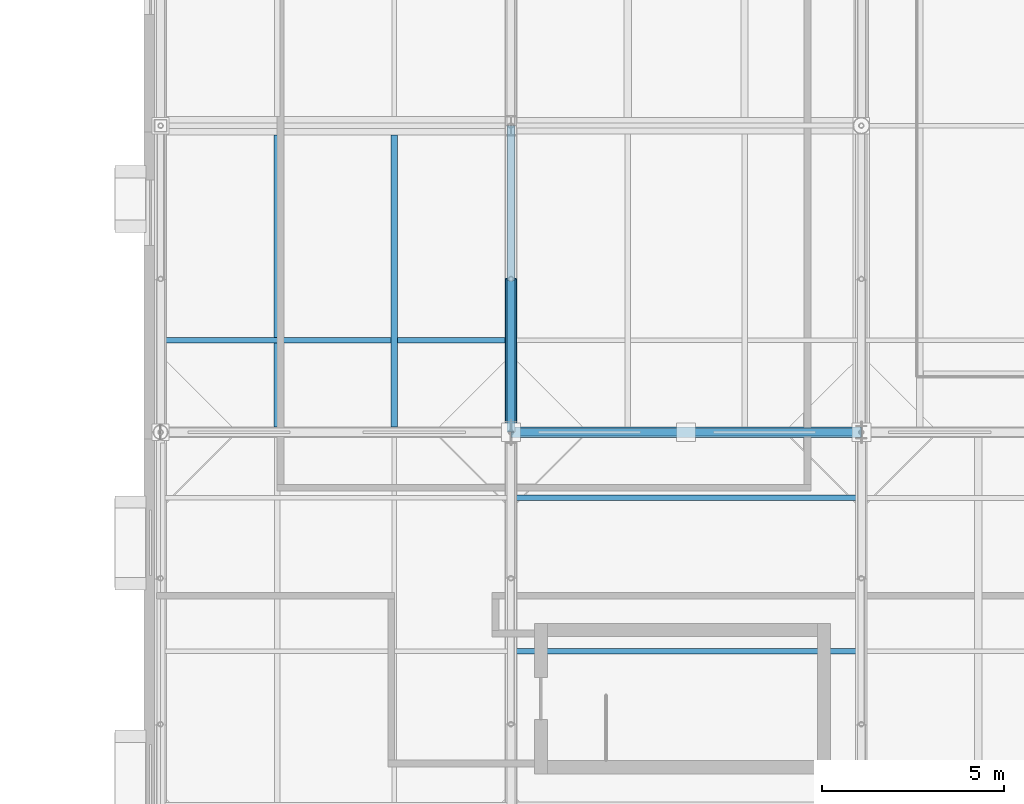
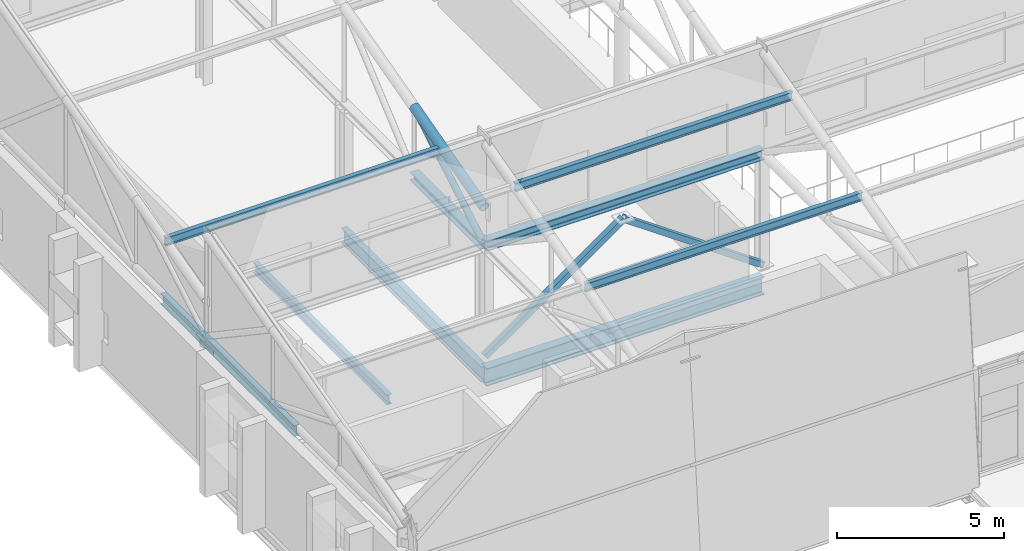
# One storey, part 18 of 89: 8 members, 5 beams.
"""IFC4 building model written with IfcOpenShell, lengths in metres."""

from ifc_helpers import new_model, si_unit, direction, frame, origin, origin_2d, place, context, subcontext, project, spatial, hollow_rectangle, hollow_circle, i_section, extrude, material, material_profile, profile_set, type_object, element, save


model = new_model("IFC4")

# Units and contexts
model_context = context("Model", 3, precision=1e-05, world=origin(), true_north=direction((0.0, 1.0)))
body_context = subcontext(model_context, "Body", "Model", "MODEL_VIEW")
ifc_project = project(units=[si_unit("LENGTHUNIT", "METRE"), si_unit("AREAUNIT", "SQUARE_METRE"), si_unit("VOLUMEUNIT", "CUBIC_METRE"), si_unit("PLANEANGLEUNIT", "RADIAN"), si_unit("MASSUNIT", "GRAM", prefix="KILO")], contexts=[model_context])

# Site, building, storey
site_placement = place(None, origin())
site = spatial("IfcSite", under=ifc_project, at=site_placement, CompositionType="ELEMENT")
building_placement = place(site_placement, origin())
building = spatial("IfcBuilding", under=site, at=building_placement, Name="Zereglee Splitstone Museum", CompositionType="ELEMENT")
storey_placement = place(building_placement, frame((0.0, 0.0, 21.300048828125)))
storey = spatial("IfcBuildingStorey", under=building, at=storey_placement, Name="L04", CompositionType="ELEMENT", Elevation=21.300048828125)

# Members
ifc_material_1 = material(Name="Steel S355J2H", Category="steel")
ifc_material_profile_1 = material_profile(ifc_material_1, hollow_circle(Radius=0.109619140625, WallThickness=0.010009765625, at=origin_2d()), Name="CHS 219.1x10")
ifc_profile_set_1 = profile_set([ifc_material_profile_1], Name="Steel S355J2H")
member_type_1 = type_object("IfcMemberType", Name="TB-03", PredefinedType="BRACE", material=ifc_profile_set_1)
member_1_placement = place(storey_placement, frame((87.60009765625, 21.60009765625, 4.199951171875), z_axis=(0.0, 0.861527117747, 0.50771155727), x_axis=(-1.0, 0.0, 0.0)))
element("IfcMember", 1, at=member_1_placement, inside=storey, type_object=member_type_1, Name="Roof Truss ST-02 Diagonal 2.1", PredefinedType="BRACE", context=body_context, shape_type="SweptSolid", body=[
    extrude(hollow_circle(Radius=0.109619140625, WallThickness=0.010009765625, at=origin_2d()), origin(), (0.0, 0.0, 1.0), 4.875),
])
ifc_material_profile_2 = material_profile(ifc_material_1, hollow_rectangle(XDim=0.199951171875, YDim=0.199951171875, WallThickness=0.010009765625, at=origin_2d()), Name="SHS 200x200x10")
ifc_profile_set_2 = profile_set([ifc_material_profile_2], Name="Steel S355J2H")
member_type_2 = type_object("IfcMemberType", Name="TB-07", PredefinedType="BRACE", material=ifc_profile_set_2)
for number, where, z_axis, x_axis, name in (
    (2, (87.60009765625, 21.60009765625, 0.119873046875), (0.819212344006, 0.0, 0.573490309794), (0.0, 1.0, 0.0), "Lateral Braced Frame Chevron L04-009A"),
    (3, (97.199951171875, 21.60009765625, 0.119873046875), (-0.819226047866, 0.0, 0.573470733776), (0.0, -1.0, 0.0), "Lateral Braced Frame Chevron L04-009B"),
):
    element("IfcMember", number, at=place(storey_placement, frame(where, z_axis=z_axis, x_axis=x_axis)), inside=storey, type_object=member_type_2, Name=name, PredefinedType="BRACE", context=body_context, shape_type="SweptSolid", body=[
        extrude(hollow_rectangle(XDim=0.199951171875, YDim=0.199951171875, WallThickness=0.010009765625, at=origin_2d()), origin(), (0.0, 0.0, 1.0), 5.859130859375),
    ])
ifc_material_profile_3 = material_profile(ifc_material_1, hollow_circle(Radius=0.161865234375, WallThickness=0.01611328125, at=origin_2d()), Name="CHS 323.9x16")
ifc_profile_set_3 = profile_set([ifc_material_profile_3], Name="Steel S355J2H")
member_type_3 = type_object("IfcMemberType", Name="TC-05", PredefinedType="CHORD", material=ifc_profile_set_3)
member_2_placement = place(storey_placement, frame((87.60009765625, 21.60009765625, 5.550048828125), z_axis=(0.0, 0.965947299715, 0.258738891884), x_axis=(-1.0, 0.0, 0.0)))
element("IfcMember", 4, at=member_2_placement, inside=storey, type_object=member_type_3, Name="Roof Truss ST-02 Top Chord 2.1", PredefinedType="CHORD", context=body_context, shape_type="SweptSolid", body=[
    extrude(hollow_circle(Radius=0.161865234375, WallThickness=0.01611328125, at=origin_2d()), origin(), (0.0, 0.0, 1.0), 4.347900390625),
])
ifc_material_2 = material(Name="Steel S355J2", Category="steel")
ifc_material_profile_4 = material_profile(ifc_material_2, i_section(OverallWidth=0.300048828125, OverallDepth=0.300048828125, WebThickness=0.010986328125, FlangeThickness=0.01904296875, FilletRadius=0.027099609375, at=origin_2d()), Name="HE 300 B")
ifc_profile_set_4 = profile_set([ifc_material_profile_4], Name="Steel S355J2")
member_type_4 = type_object("IfcMemberType", Name="TC-07", PredefinedType="CHORD", material=ifc_profile_set_4)
member_3_placement = place(storey_placement, frame((87.60009765625, 21.60009765625, 4.199951171875), z_axis=(0.0, 1.0, 0.0), x_axis=(-1.0, 0.0, 0.0)))
element("IfcMember", 5, at=member_3_placement, inside=storey, type_object=member_type_4, Name="Roof Truss ST-02 Bottom Chord 2.1", PredefinedType="CHORD", context=body_context, shape_type="SweptSolid", body=[
    extrude(i_section(OverallWidth=0.300048828125, OverallDepth=0.300048828125, WebThickness=0.010986328125, FlangeThickness=0.01904296875, FilletRadius=0.027099609375, at=origin_2d()), origin(), (0.0, 0.0, 1.0), 4.199951171875),
])

# Beams
ifc_material_profile_5 = material_profile(ifc_material_2, i_section(OverallWidth=0.300048828125, OverallDepth=0.360107421875, WebThickness=0.012451171875, FlangeThickness=0.0224609375, FilletRadius=0.027099609375, at=origin_2d()), Name="HE 360 B")
ifc_profile_set_5 = profile_set([ifc_material_profile_5], Name="Steel S355J2")
beam_type_1 = type_object("IfcBeamType", Name="BG-14", PredefinedType="BEAM", material=ifc_profile_set_5)
beam_1_placement = place(storey_placement, frame((87.60009765625, 21.60009765625, 4.199951171875), z_axis=(1.0, 0.0, 0.0), x_axis=(0.0, 1.0, 0.0)))
element("IfcBeam", 6, at=beam_1_placement, inside=storey, type_object=beam_type_1, Name="Sawtooth Monitor Sill Beam B2-S1", PredefinedType="BEAM", context=body_context, shape_type="SweptSolid", body=[
    extrude(i_section(OverallWidth=0.300048828125, OverallDepth=0.360107421875, WebThickness=0.012451171875, FlangeThickness=0.0224609375, FilletRadius=0.027099609375, at=origin_2d()), origin(), (0.0, 0.0, 1.0), 9.599853515625),
])
ifc_material_profile_6 = material_profile(ifc_material_2, i_section(OverallWidth=0.300048828125, OverallDepth=0.64990234375, WebThickness=0.01611328125, FlangeThickness=0.031005859375, FilletRadius=0.027099609375, at=origin_2d()), Name="HE 650 B")
ifc_profile_set_6 = profile_set([ifc_material_profile_6], Name="Steel S355J2")
beam_type_2 = type_object("IfcBeamType", Name="BG-09", PredefinedType="BEAM", material=ifc_profile_set_6)
beam_2_placement = place(storey_placement, frame((87.60009765625, 21.60009765625, -0.5849609375), z_axis=(1.0, 0.0, 0.0), x_axis=(0.0, 1.0, 0.0)))
element("IfcBeam", 7, at=beam_2_placement, inside=storey, type_object=beam_type_2, Name="Primary Girder L04 C (87.6-97.2)", PredefinedType="BEAM", context=body_context, shape_type="SweptSolid", body=[
    extrude(i_section(OverallWidth=0.300048828125, OverallDepth=0.64990234375, WebThickness=0.01611328125, FlangeThickness=0.031005859375, FilletRadius=0.027099609375, at=origin_2d()), origin(), (0.0, 0.0, 1.0), 9.599853515625),
])
ifc_material_profile_7 = material_profile(ifc_material_2, i_section(OverallWidth=0.2099609375, OverallDepth=0.550048828125, WebThickness=0.010986328125, FlangeThickness=0.01708984375, FilletRadius=0.02392578125, at=origin_2d()), Name="IPE 550")
ifc_profile_set_7 = profile_set([ifc_material_profile_7], Name="Steel S355J2")
beam_type_3 = type_object("IfcBeamType", Name="BG-16", PredefinedType="BEAM", material=ifc_profile_set_7)
beam_3_placement = place(storey_placement, frame((87.60009765625, 21.60009765625, -0.53515625), z_axis=(0.0, 1.0, 0.0), x_axis=(-1.0, 0.0, 0.0)))
element("IfcBeam", 8, at=beam_3_placement, inside=storey, type_object=beam_type_3, Name="Primary Girder L04 11 (21.6-30.0)", PredefinedType="BEAM", context=body_context, shape_type="SweptSolid", body=[
    extrude(i_section(OverallWidth=0.2099609375, OverallDepth=0.550048828125, WebThickness=0.010986328125, FlangeThickness=0.01708984375, FilletRadius=0.02392578125, at=origin_2d()), origin(), (0.0, 0.0, 1.0), 8.39990234375),
])
ifc_material_profile_8 = material_profile(ifc_material_2, i_section(OverallWidth=0.169921875, OverallDepth=0.360107421875, WebThickness=0.008056640625, FlangeThickness=0.0126953125, FilletRadius=0.01806640625, at=origin_2d()), Name="IPE 360")
ifc_profile_set_8 = profile_set([ifc_material_profile_8], Name="Steel S355J2")
beam_type_4 = type_object("IfcBeamType", Name="BJ-04", PredefinedType="JOIST", material=ifc_profile_set_8)
beam_4_placement = place(storey_placement, frame((84.39990234375, 21.75, -0.43994140625), z_axis=(0.0, 1.0, 0.0), x_axis=(-1.0, 0.0, 0.0)))
element("IfcBeam", 9, at=beam_4_placement, inside=storey, type_object=beam_type_4, Name="Secondary Floor Joist L04-1529", PredefinedType="JOIST", context=body_context, shape_type="SweptSolid", body=[
    extrude(i_section(OverallWidth=0.169921875, OverallDepth=0.360107421875, WebThickness=0.008056640625, FlangeThickness=0.0126953125, FilletRadius=0.01806640625, at=origin_2d()), origin(), (0.0, 0.0, 1.0), 8.0),
])
ifc_material_profile_9 = material_profile(ifc_material_2, i_section(OverallWidth=0.179931640625, OverallDepth=0.39990234375, WebThickness=0.008544921875, FlangeThickness=0.013427734375, FilletRadius=0.02099609375, at=origin_2d()), Name="IPE 400")
ifc_profile_set_9 = profile_set([ifc_material_profile_9], Name="Steel S355J2")
beam_type_5 = type_object("IfcBeamType", Name="BJ-03", PredefinedType="JOIST", material=ifc_profile_set_9)
beam_5_placement = place(storey_placement, frame((81.199951171875, 21.75, -0.4599609375), z_axis=(0.0, 1.0, 0.0), x_axis=(-1.0, 0.0, 0.0)))
element("IfcBeam", 10, at=beam_5_placement, inside=storey, type_object=beam_type_5, Name="Secondary Floor Joist L04-1528", PredefinedType="JOIST", context=body_context, shape_type="SweptSolid", body=[
    extrude(i_section(OverallWidth=0.179931640625, OverallDepth=0.39990234375, WebThickness=0.008544921875, FlangeThickness=0.013427734375, FilletRadius=0.02099609375, at=origin_2d()), origin(), (0.0, 0.0, 1.0), 8.0),
])

# Members
ifc_material_profile_10 = material_profile(ifc_material_2, i_section(OverallWidth=0.14990234375, OverallDepth=0.300048828125, WebThickness=0.007080078125, FlangeThickness=0.0107421875, FilletRadius=0.014892578125, at=origin_2d()), Name="IPE 300")
ifc_profile_set_10 = profile_set([ifc_material_profile_10], Name="Steel S355J2")
member_type_5 = type_object("IfcMemberType", Name="PR-01", PredefinedType="PURLIN", material=ifc_profile_set_10)
member_4_placement = place(storey_placement, frame((78.0, 24.1201171875, 6.14794921875), z_axis=(1.0, 0.0, 0.0), x_axis=(0.0, 1.0, 0.0)))
element("IfcMember", 11, at=member_4_placement, inside=storey, type_object=member_type_5, Name="Sawtooth Roof Purlin B1-S2-1", PredefinedType="PURLIN", context=body_context, shape_type="SweptSolid", body=[
    extrude(i_section(OverallWidth=0.14990234375, OverallDepth=0.300048828125, WebThickness=0.007080078125, FlangeThickness=0.0107421875, FilletRadius=0.014892578125, at=origin_2d()), origin(), (0.0, 0.0, 1.0), 9.60009765625),
])
for number, where, z_axis, x_axis, name in (
    (12, (87.60009765625, 15.60009765625, 6.273193359375), (1.0, 0.0, 0.0), (0.0, 1.0, 0.0), "Sawtooth Roof Purlin B2-S1-2"),
    (13, (87.60009765625, 19.800048828125, 7.39306640625), (1.0, 0.0, 0.0), (0.0, 1.0, 0.0), "Sawtooth Roof Purlin B2-S1-3"),
):
    element("IfcMember", number, at=place(storey_placement, frame(where, z_axis=z_axis, x_axis=x_axis)), inside=storey, type_object=member_type_5, Name=name, PredefinedType="PURLIN", context=body_context, shape_type="SweptSolid", body=[
        extrude(i_section(OverallWidth=0.14990234375, OverallDepth=0.300048828125, WebThickness=0.007080078125, FlangeThickness=0.0107421875, FilletRadius=0.014892578125, at=origin_2d()), origin(), (0.0, 0.0, 1.0), 9.599853515625),
    ])

save(model, "model.ifc")
